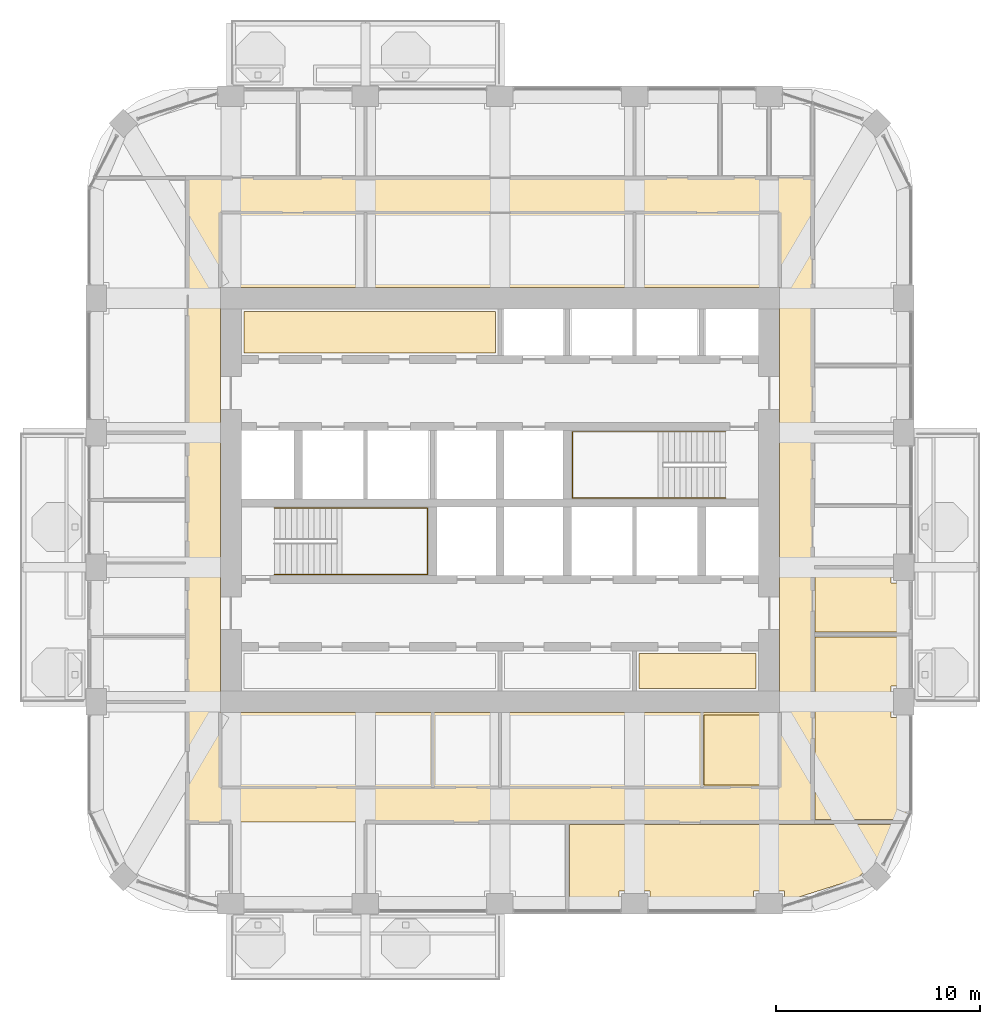
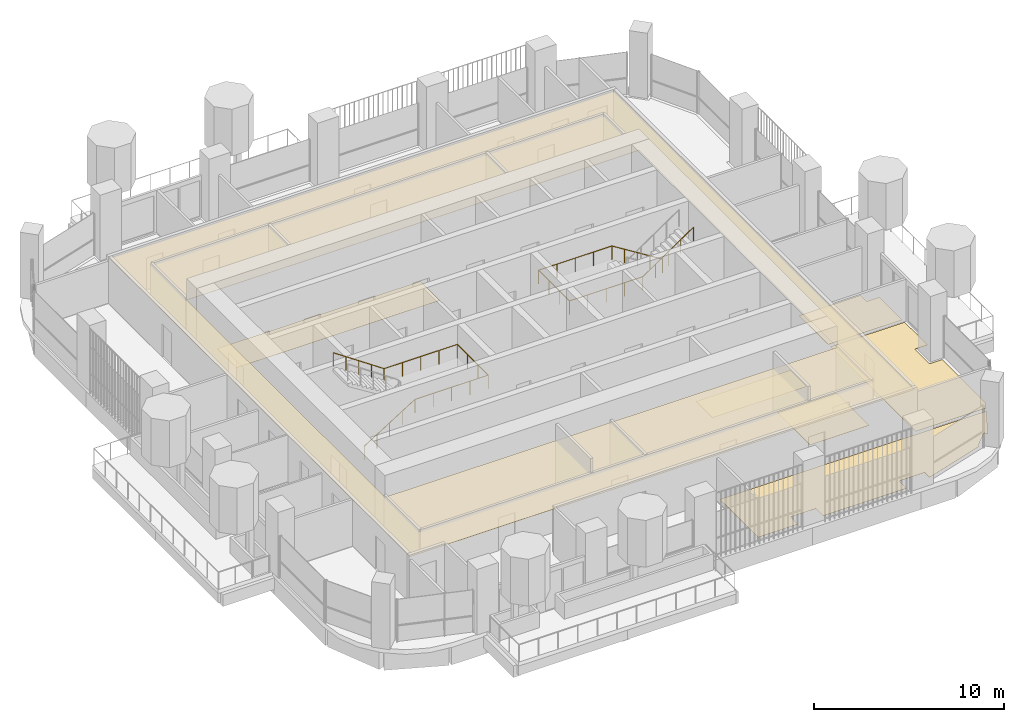
# One storey, part 17 of 20: 7 coverings, 2 railings.
"""IFC4 building model written with IfcOpenShell, lengths in metres."""

from ifc_helpers import new_model, si_unit, direction, frame, origin, place, context, subcontext, project, spatial, polyline, outline, extrude, material, layer, layer_set, type_object, element, save


model = new_model("IFC4")

# Units and contexts
model_context = context("Model", 3, precision=1e-05, world=origin(), true_north=direction((0.0, 1.0)))
body_context = subcontext(model_context, "Body", "Model", "MODEL_VIEW")
ifc_project = project(units=[si_unit("LENGTHUNIT", "METRE"), si_unit("AREAUNIT", "SQUARE_METRE"), si_unit("VOLUMEUNIT", "CUBIC_METRE"), si_unit("PLANEANGLEUNIT", "RADIAN"), si_unit("MASSUNIT", "GRAM", prefix="KILO")], contexts=[model_context])

# Site, building, storey
site_placement = place(None, origin())
site = spatial("IfcSite", under=ifc_project, at=site_placement, CompositionType="ELEMENT")
building_placement = place(site_placement, origin())
building = spatial("IfcBuilding", under=site, at=building_placement, Name="Cobogo Forest Laboratory Tower", CompositionType="ELEMENT")
storey_placement = place(building_placement, frame((0.0, 0.0, 254.39990234375)))
storey = spatial("IfcBuildingStorey", under=building, at=storey_placement, Name="L58", CompositionType="ELEMENT", Elevation=254.39990234375)

# Coverings
ifc_material_1 = material(Name="Mineral fibre ceiling tile", Category="ceiling")
ifc_layer_1 = layer(ifc_material_1, 0.02001953125)
ifc_layer_set_1 = layer_set([ifc_layer_1], Name="CL1 suspended ceiling")
covering_type_1 = type_object("IfcCoveringType", Name="CL1 suspended ceiling", PredefinedType="CEILING", material=ifc_layer_set_1)
covering_1_placement = place(storey_placement, frame((0.0, 0.0, 2.800048828125)))
element("IfcCovering", 1, at=covering_1_placement, inside=storey, type_object=covering_type_1, Name="Corridor ceiling L58", PredefinedType="CEILING", context=body_context, shape_type="SweptSolid", body=[
    extrude(outline(polyline([(11.074951171875, 7.300048828125), (11.074951171875, 38.89990234375), (41.72509765625, 38.89990234375), (41.72509765625, 7.300048828125), (11.074951171875, 7.300048828125)]), holes=[polyline([(40.125, 33.52490234375), (12.675048828125, 33.52490234375), (12.675048828125, 12.675048828125), (40.125, 12.675048828125), (40.125, 33.52490234375)])]), origin(), (0.0, 0.0, 1.0), 0.02001953125),
])
ifc_material_2 = material(Name="Carpet tile on raised access floor", Category="flooring")
ifc_layer_2 = layer(ifc_material_2, 0.008056640625)
ifc_layer_set_2 = layer_set([ifc_layer_2], Name="CT1 carpet tile floor 8")
covering_type_2 = type_object("IfcCoveringType", Name="CT1 carpet tile floor 8", PredefinedType="FLOORING", material=ifc_layer_set_2)
covering_2_placement = place(storey_placement, origin())
element("IfcCovering", 2, at=covering_2_placement, inside=storey, type_object=covering_type_2, Name="Carpet floor L58-07", PredefinedType="FLOORING", context=body_context, shape_type="SweptSolid", body=[
    extrude(outline(polyline([(40.0048828125, 9.1201171875), (36.419921875, 9.1201171875), (36.419921875, 12.554931640625), (40.0048828125, 12.554931640625), (40.0048828125, 9.1201171875)])), origin(), (0.0, 0.0, 1.0), 0.008056640625),
])
covering_3_placement = place(storey_placement, origin())
element("IfcCovering", 3, at=covering_3_placement, inside=storey, type_object=covering_type_2, Name="Carpet floor L58-10", PredefinedType="FLOORING", context=body_context, shape_type="SweptSolid", body=[
    extrude(outline(polyline([(44.05615234375, 4.56689453125), (40.3701171875, 3.40283203125), (40.3701171875, 3.919921875), (38.830078125, 3.919921875), (38.830078125, 3.14990234375), (33.77001953125, 3.14990234375), (33.77001953125, 3.919921875), (32.22998046875, 3.919921875), (32.22998046875, 3.14990234375), (29.820068359375, 3.14990234375), (29.820068359375, 7.179931640625), (45.999267578125, 7.179931640625), (45.035400390625, 5.34130859375), (44.882080078125, 5.494873046875), (44.005126953125, 4.617919921875), (44.05615234375, 4.56689453125)])), origin(), (0.0, 0.0, 1.0), 0.008056640625),
])
covering_4_placement = place(storey_placement, origin())
element("IfcCovering", 4, at=covering_4_placement, inside=storey, type_object=covering_type_2, Name="Carpet floor L58-11", PredefinedType="FLOORING", context=body_context, shape_type="SweptSolid", body=[
    extrude(outline(polyline([(41.844970703125, 16.3798828125), (46.35009765625, 16.3798828125), (46.35009765625, 13.969970703125), (45.580078125, 13.969970703125), (45.580078125, 12.429931640625), (46.35009765625, 12.429931640625), (46.35009765625, 7.84912109375), (46.125, 7.419921875), (41.844970703125, 7.419921875), (41.844970703125, 16.3798828125)])), origin(), (0.0, 0.0, 1.0), 0.008056640625),
])
covering_5_placement = place(storey_placement, origin())
element("IfcCovering", 5, at=covering_5_placement, inside=storey, type_object=covering_type_2, Name="Carpet floor L58-12", PredefinedType="FLOORING", context=body_context, shape_type="SweptSolid", body=[
    extrude(outline(polyline([(41.844970703125, 19.679931640625), (45.580078125, 19.679931640625), (45.580078125, 19.030029296875), (46.35009765625, 19.030029296875), (46.35009765625, 16.6201171875), (41.844970703125, 16.6201171875), (41.844970703125, 19.679931640625)])), origin(), (0.0, 0.0, 1.0), 0.008056640625),
])
covering_6_placement = place(storey_placement, origin())
element("IfcCovering", 6, at=covering_6_placement, inside=storey, type_object=covering_type_2, Name="Carpet floor L58-38", PredefinedType="FLOORING", context=body_context, shape_type="SweptSolid", body=[
    extrude(outline(polyline([(38.955078125, 13.844970703125), (33.219970703125, 13.844970703125), (33.219970703125, 15.580078125), (38.955078125, 15.580078125), (38.955078125, 13.844970703125)])), origin(), (0.0, 0.0, 1.0), 0.008056640625),
])
covering_7_placement = place(storey_placement, origin())
element("IfcCovering", 7, at=covering_7_placement, inside=storey, type_object=covering_type_2, Name="Carpet floor L58-39", PredefinedType="FLOORING", context=body_context, shape_type="SweptSolid", body=[
    extrude(outline(polyline([(26.179931640625, 30.320068359375), (13.844970703125, 30.320068359375), (13.844970703125, 32.35498046875), (26.179931640625, 32.35498046875), (26.179931640625, 30.320068359375)])), origin(), (0.0, 0.0, 1.0), 0.008056640625),
])

# Railings
ifc_material_3 = material(Name="Stainless steel handrail", Category="steel")
railing_type = type_object("IfcRailingType", Name="HR handrail 900", PredefinedType="HANDRAIL", material=ifc_material_3)
railing_1_placement = place(storey_placement, frame((15.324951171875, 19.449951171875, 0.175048828125)))
element("IfcRailing", 8, at=railing_1_placement, inside=storey, type_object=railing_type, Name="Stair handrail ST1 L58", PredefinedType="HANDRAIL", context=body_context, shape_type="SweptSolid", body=[
    extrude(outline(polyline([(0.022216796875, 0.00927734375), (0.00927734375, 0.022216796875), (-0.00927734375, 0.022216796875), (-0.022216796875, 0.00927734375), (-0.022216796875, -0.00927734375), (-0.00927734375, -0.022216796875), (0.00927734375, -0.022216796875), (0.022216796875, -0.00927734375), (0.022216796875, 0.00927734375)])), frame((0.0, 0.0, 0.877685546875), z_axis=(0.847998304005, 0.0, 0.529998940003), x_axis=(0.0, 1.0, 0.0)), (0.0, 0.0, 1.0), 3.632080078125),
    extrude(outline(polyline([(0.022216796875, 0.00927734375), (0.00927734375, 0.022216796875), (-0.00927734375, 0.022216796875), (-0.022216796875, 0.00927734375), (-0.022216796875, -0.00927734375), (-0.00927734375, -0.022216796875), (0.00927734375, -0.022216796875), (0.022216796875, -0.00927734375), (0.022216796875, 0.00927734375)])), frame((3.080078125, 0.0, 2.802734375), z_axis=(1.0, 0.0, 0.0), x_axis=(0.0, 1.0, 0.0)), (0.0, 0.0, 1.0), 4.445068359375),
    extrude(outline(polyline([(0.022216796875, 0.00927734375), (0.00927734375, 0.022216796875), (-0.00927734375, 0.022216796875), (-0.022216796875, 0.00927734375), (-0.022216796875, -0.00927734375), (-0.00927734375, -0.022216796875), (0.00927734375, -0.022216796875), (0.022216796875, -0.00927734375), (0.022216796875, 0.00927734375)])), frame((7.525146484375, 0.0, 2.802734375), z_axis=(0.0, 1.0, 0.0), x_axis=(-1.0, 0.0, 0.0)), (0.0, 0.0, 1.0), 3.25),
    extrude(outline(polyline([(0.022216796875, 0.00927734375), (0.00927734375, 0.022216796875), (-0.00927734375, 0.022216796875), (-0.022216796875, 0.00927734375), (-0.022216796875, -0.00927734375), (-0.00927734375, -0.022216796875), (0.00927734375, -0.022216796875), (0.022216796875, -0.00927734375), (0.022216796875, 0.00927734375)])), frame((7.525146484375, 3.25, 2.802734375), z_axis=(-1.0, 0.0, 0.0), x_axis=(0.0, -1.0, 0.0)), (0.0, 0.0, 1.0), 4.445068359375),
    extrude(outline(polyline([(0.022216796875, 0.00927734375), (0.00927734375, 0.022216796875), (-0.00927734375, 0.022216796875), (-0.022216796875, 0.00927734375), (-0.022216796875, -0.00927734375), (-0.00927734375, -0.022216796875), (0.00927734375, -0.022216796875), (0.022216796875, -0.00927734375), (0.022216796875, 0.00927734375)])), frame((3.080078125, 3.25, 2.802734375), z_axis=(-0.826221800596, 0.0, 0.563344953133), x_axis=(0.0, -1.0, 0.0)), (0.0, 0.0, 1.0), 3.72802734375),
    extrude(outline(polyline([(0.019287109375, 0.008056640625), (0.008056640625, 0.019287109375), (-0.008056640625, 0.019287109375), (-0.019287109375, 0.008056640625), (-0.019287109375, -0.008056640625), (-0.008056640625, -0.019287109375), (0.008056640625, -0.019287109375), (0.019287109375, -0.008056640625), (0.019287109375, 0.008056640625)])), origin(), (0.0, 0.0, 1.0), 0.877685546875),
    extrude(outline(polyline([(0.019287109375, 0.008056640625), (0.008056640625, 0.019287109375), (-0.008056640625, 0.019287109375), (-0.019287109375, 0.008056640625), (-0.019287109375, -0.008056640625), (-0.008056640625, -0.019287109375), (0.008056640625, -0.019287109375), (0.019287109375, -0.008056640625), (0.019287109375, 0.008056640625)])), frame((0.77001953125, 0.0, 0.481201171875)), (0.0, 0.0, 1.0), 0.877685546875),
    extrude(outline(polyline([(0.019287109375, 0.008056640625), (0.008056640625, 0.019287109375), (-0.008056640625, 0.019287109375), (-0.019287109375, 0.008056640625), (-0.019287109375, -0.008056640625), (-0.008056640625, -0.019287109375), (0.008056640625, -0.019287109375), (0.019287109375, -0.008056640625), (0.019287109375, 0.008056640625)])), frame((1.5400390625, 0.0, 0.96240234375)), (0.0, 0.0, 1.0), 0.877685546875),
    extrude(outline(polyline([(0.019287109375, 0.008056640625), (0.008056640625, 0.019287109375), (-0.008056640625, 0.019287109375), (-0.019287109375, 0.008056640625), (-0.019287109375, -0.008056640625), (-0.008056640625, -0.019287109375), (0.008056640625, -0.019287109375), (0.019287109375, -0.008056640625), (0.019287109375, 0.008056640625)])), frame((2.31005859375, 0.0, 1.44384765625)), (0.0, 0.0, 1.0), 0.877685546875),
    extrude(outline(polyline([(0.019287109375, 0.008056640625), (0.008056640625, 0.019287109375), (-0.008056640625, 0.019287109375), (-0.019287109375, 0.008056640625), (-0.019287109375, -0.008056640625), (-0.008056640625, -0.019287109375), (0.008056640625, -0.019287109375), (0.019287109375, -0.008056640625), (0.019287109375, 0.008056640625)])), frame((3.080078125, 0.0, 1.925048828125)), (0.0, 0.0, 1.0), 0.877685546875),
    extrude(outline(polyline([(0.019287109375, 0.008056640625), (0.008056640625, 0.019287109375), (-0.008056640625, 0.019287109375), (-0.019287109375, 0.008056640625), (-0.019287109375, -0.008056640625), (-0.008056640625, -0.019287109375), (0.008056640625, -0.019287109375), (0.019287109375, -0.008056640625), (0.019287109375, 0.008056640625)])), frame((4.19140625, 0.0, 1.925048828125)), (0.0, 0.0, 1.0), 0.877685546875),
    extrude(outline(polyline([(0.019287109375, 0.008056640625), (0.008056640625, 0.019287109375), (-0.008056640625, 0.019287109375), (-0.019287109375, 0.008056640625), (-0.019287109375, -0.008056640625), (-0.008056640625, -0.019287109375), (0.008056640625, -0.019287109375), (0.019287109375, -0.008056640625), (0.019287109375, 0.008056640625)])), frame((5.302734375, 0.0, 1.925048828125)), (0.0, 0.0, 1.0), 0.877685546875),
    extrude(outline(polyline([(0.019287109375, 0.008056640625), (0.008056640625, 0.019287109375), (-0.008056640625, 0.019287109375), (-0.019287109375, 0.008056640625), (-0.019287109375, -0.008056640625), (-0.008056640625, -0.019287109375), (0.008056640625, -0.019287109375), (0.019287109375, -0.008056640625), (0.019287109375, 0.008056640625)])), frame((6.413818359375, 0.0, 1.925048828125)), (0.0, 0.0, 1.0), 0.877685546875),
    extrude(outline(polyline([(0.019287109375, 0.008056640625), (0.008056640625, 0.019287109375), (-0.008056640625, 0.019287109375), (-0.019287109375, 0.008056640625), (-0.019287109375, -0.008056640625), (-0.008056640625, -0.019287109375), (0.008056640625, -0.019287109375), (0.019287109375, -0.008056640625), (0.019287109375, 0.008056640625)])), frame((7.525146484375, 0.0, 1.925048828125)), (0.0, 0.0, 1.0), 0.877685546875),
    extrude(outline(polyline([(0.019287109375, 0.008056640625), (0.008056640625, 0.019287109375), (-0.008056640625, 0.019287109375), (-0.019287109375, 0.008056640625), (-0.019287109375, -0.008056640625), (-0.008056640625, -0.019287109375), (0.008056640625, -0.019287109375), (0.019287109375, -0.008056640625), (0.019287109375, 0.008056640625)])), frame((7.525146484375, 1.083251953125, 1.925048828125)), (0.0, 0.0, 1.0), 0.877685546875),
    extrude(outline(polyline([(0.019287109375, 0.008056640625), (0.008056640625, 0.019287109375), (-0.008056640625, 0.019287109375), (-0.019287109375, 0.008056640625), (-0.019287109375, -0.008056640625), (-0.008056640625, -0.019287109375), (0.008056640625, -0.019287109375), (0.019287109375, -0.008056640625), (0.019287109375, 0.008056640625)])), frame((7.525146484375, 2.166748046875, 1.925048828125)), (0.0, 0.0, 1.0), 0.877685546875),
    extrude(outline(polyline([(0.019287109375, 0.008056640625), (0.008056640625, 0.019287109375), (-0.008056640625, 0.019287109375), (-0.019287109375, 0.008056640625), (-0.019287109375, -0.008056640625), (-0.008056640625, -0.019287109375), (0.008056640625, -0.019287109375), (0.019287109375, -0.008056640625), (0.019287109375, 0.008056640625)])), frame((7.525146484375, 3.25, 1.925048828125)), (0.0, 0.0, 1.0), 0.877685546875),
    extrude(outline(polyline([(0.019287109375, 0.008056640625), (0.008056640625, 0.019287109375), (-0.008056640625, 0.019287109375), (-0.019287109375, 0.008056640625), (-0.019287109375, -0.008056640625), (-0.008056640625, -0.019287109375), (0.008056640625, -0.019287109375), (0.019287109375, -0.008056640625), (0.019287109375, 0.008056640625)])), frame((6.413818359375, 3.25, 1.925048828125)), (0.0, 0.0, 1.0), 0.877685546875),
    extrude(outline(polyline([(0.019287109375, 0.008056640625), (0.008056640625, 0.019287109375), (-0.008056640625, 0.019287109375), (-0.019287109375, 0.008056640625), (-0.019287109375, -0.008056640625), (-0.008056640625, -0.019287109375), (0.008056640625, -0.019287109375), (0.019287109375, -0.008056640625), (0.019287109375, 0.008056640625)])), frame((5.302734375, 3.25, 1.925048828125)), (0.0, 0.0, 1.0), 0.877685546875),
    extrude(outline(polyline([(0.019287109375, 0.008056640625), (0.008056640625, 0.019287109375), (-0.008056640625, 0.019287109375), (-0.019287109375, 0.008056640625), (-0.019287109375, -0.008056640625), (-0.008056640625, -0.019287109375), (0.008056640625, -0.019287109375), (0.019287109375, -0.008056640625), (0.019287109375, 0.008056640625)])), frame((4.19140625, 3.25, 1.925048828125)), (0.0, 0.0, 1.0), 0.877685546875),
    extrude(outline(polyline([(0.019287109375, 0.008056640625), (0.008056640625, 0.019287109375), (-0.008056640625, 0.019287109375), (-0.019287109375, 0.008056640625), (-0.019287109375, -0.008056640625), (-0.008056640625, -0.019287109375), (0.008056640625, -0.019287109375), (0.019287109375, -0.008056640625), (0.019287109375, 0.008056640625)])), frame((3.080078125, 3.25, 1.925048828125)), (0.0, 0.0, 1.0), 0.877685546875),
    extrude(outline(polyline([(0.019287109375, 0.008056640625), (0.008056640625, 0.019287109375), (-0.008056640625, 0.019287109375), (-0.019287109375, 0.008056640625), (-0.019287109375, -0.008056640625), (-0.008056640625, -0.019287109375), (0.008056640625, -0.019287109375), (0.019287109375, -0.008056640625), (0.019287109375, 0.008056640625)])), frame((2.31005859375, 3.25, 2.4501953125)), (0.0, 0.0, 1.0), 0.877685546875),
    extrude(outline(polyline([(0.019287109375, 0.008056640625), (0.008056640625, 0.019287109375), (-0.008056640625, 0.019287109375), (-0.019287109375, 0.008056640625), (-0.019287109375, -0.008056640625), (-0.008056640625, -0.019287109375), (0.008056640625, -0.019287109375), (0.019287109375, -0.008056640625), (0.019287109375, 0.008056640625)])), frame((1.5400390625, 3.25, 2.97509765625)), (0.0, 0.0, 1.0), 0.877685546875),
    extrude(outline(polyline([(0.019287109375, 0.008056640625), (0.008056640625, 0.019287109375), (-0.008056640625, 0.019287109375), (-0.019287109375, 0.008056640625), (-0.019287109375, -0.008056640625), (-0.008056640625, -0.019287109375), (0.008056640625, -0.019287109375), (0.019287109375, -0.008056640625), (0.019287109375, 0.008056640625)])), frame((0.77001953125, 3.25, 3.5)), (0.0, 0.0, 1.0), 0.877685546875),
    extrude(outline(polyline([(0.019287109375, 0.008056640625), (0.008056640625, 0.019287109375), (-0.008056640625, 0.019287109375), (-0.019287109375, 0.008056640625), (-0.019287109375, -0.008056640625), (-0.008056640625, -0.019287109375), (0.008056640625, -0.019287109375), (0.019287109375, -0.008056640625), (0.019287109375, 0.008056640625)])), frame((0.0, 3.25, 4.025146484375)), (0.0, 0.0, 1.0), 0.877685546875),
])
railing_2_placement = place(storey_placement, frame((37.47509765625, 26.449951171875, 0.175048828125)))
element("IfcRailing", 9, at=railing_2_placement, inside=storey, type_object=railing_type, Name="Stair handrail ST2 L58", PredefinedType="HANDRAIL", context=body_context, shape_type="SweptSolid", body=[
    extrude(outline(polyline([(0.022216796875, 0.00927734375), (0.00927734375, 0.022216796875), (-0.00927734375, 0.022216796875), (-0.022216796875, 0.00927734375), (-0.022216796875, -0.00927734375), (-0.00927734375, -0.022216796875), (0.00927734375, -0.022216796875), (0.022216796875, -0.00927734375), (0.022216796875, 0.00927734375)])), frame((0.0, 0.0, 0.877685546875), z_axis=(-0.847998304005, 0.0, 0.529998940003), x_axis=(0.0, -1.0, 0.0)), (0.0, 0.0, 1.0), 3.632080078125),
    extrude(outline(polyline([(0.022216796875, 0.00927734375), (0.00927734375, 0.022216796875), (-0.00927734375, 0.022216796875), (-0.022216796875, 0.00927734375), (-0.022216796875, -0.00927734375), (-0.00927734375, -0.022216796875), (0.00927734375, -0.022216796875), (0.022216796875, -0.00927734375), (0.022216796875, 0.00927734375)])), frame((-3.080078125, 0.0, 2.802734375), z_axis=(-1.0, 0.0, 0.0), x_axis=(0.0, -1.0, 0.0)), (0.0, 0.0, 1.0), 4.445068359375),
    extrude(outline(polyline([(0.022216796875, 0.00927734375), (0.00927734375, 0.022216796875), (-0.00927734375, 0.022216796875), (-0.022216796875, 0.00927734375), (-0.022216796875, -0.00927734375), (-0.00927734375, -0.022216796875), (0.00927734375, -0.022216796875), (0.022216796875, -0.00927734375), (0.022216796875, 0.00927734375)])), frame((-7.525146484375, 0.0, 2.802734375), z_axis=(0.0, -1.0, 0.0), x_axis=(1.0, 0.0, 0.0)), (0.0, 0.0, 1.0), 3.25),
    extrude(outline(polyline([(0.022216796875, 0.00927734375), (0.00927734375, 0.022216796875), (-0.00927734375, 0.022216796875), (-0.022216796875, 0.00927734375), (-0.022216796875, -0.00927734375), (-0.00927734375, -0.022216796875), (0.00927734375, -0.022216796875), (0.022216796875, -0.00927734375), (0.022216796875, 0.00927734375)])), frame((-7.525146484375, -3.25, 2.802734375), z_axis=(1.0, 0.0, 0.0), x_axis=(0.0, 1.0, 0.0)), (0.0, 0.0, 1.0), 4.445068359375),
    extrude(outline(polyline([(0.022216796875, 0.00927734375), (0.00927734375, 0.022216796875), (-0.00927734375, 0.022216796875), (-0.022216796875, 0.00927734375), (-0.022216796875, -0.00927734375), (-0.00927734375, -0.022216796875), (0.00927734375, -0.022216796875), (0.022216796875, -0.00927734375), (0.022216796875, 0.00927734375)])), frame((-3.080078125, -3.25, 2.802734375), z_axis=(0.826221800596, 0.0, 0.563344953133), x_axis=(0.0, 1.0, 0.0)), (0.0, 0.0, 1.0), 3.72802734375),
    extrude(outline(polyline([(0.019287109375, 0.008056640625), (0.008056640625, 0.019287109375), (-0.008056640625, 0.019287109375), (-0.019287109375, 0.008056640625), (-0.019287109375, -0.008056640625), (-0.008056640625, -0.019287109375), (0.008056640625, -0.019287109375), (0.019287109375, -0.008056640625), (0.019287109375, 0.008056640625)])), origin(), (0.0, 0.0, 1.0), 0.877685546875),
    extrude(outline(polyline([(0.019287109375, 0.008056640625), (0.008056640625, 0.019287109375), (-0.008056640625, 0.019287109375), (-0.019287109375, 0.008056640625), (-0.019287109375, -0.008056640625), (-0.008056640625, -0.019287109375), (0.008056640625, -0.019287109375), (0.019287109375, -0.008056640625), (0.019287109375, 0.008056640625)])), frame((-0.77001953125, 0.0, 0.481201171875)), (0.0, 0.0, 1.0), 0.877685546875),
    extrude(outline(polyline([(0.019287109375, 0.008056640625), (0.008056640625, 0.019287109375), (-0.008056640625, 0.019287109375), (-0.019287109375, 0.008056640625), (-0.019287109375, -0.008056640625), (-0.008056640625, -0.019287109375), (0.008056640625, -0.019287109375), (0.019287109375, -0.008056640625), (0.019287109375, 0.008056640625)])), frame((-1.5400390625, 0.0, 0.96240234375)), (0.0, 0.0, 1.0), 0.877685546875),
    extrude(outline(polyline([(0.019287109375, 0.008056640625), (0.008056640625, 0.019287109375), (-0.008056640625, 0.019287109375), (-0.019287109375, 0.008056640625), (-0.019287109375, -0.008056640625), (-0.008056640625, -0.019287109375), (0.008056640625, -0.019287109375), (0.019287109375, -0.008056640625), (0.019287109375, 0.008056640625)])), frame((-2.31005859375, 0.0, 1.44384765625)), (0.0, 0.0, 1.0), 0.877685546875),
    extrude(outline(polyline([(0.019287109375, 0.008056640625), (0.008056640625, 0.019287109375), (-0.008056640625, 0.019287109375), (-0.019287109375, 0.008056640625), (-0.019287109375, -0.008056640625), (-0.008056640625, -0.019287109375), (0.008056640625, -0.019287109375), (0.019287109375, -0.008056640625), (0.019287109375, 0.008056640625)])), frame((-3.080078125, 0.0, 1.925048828125)), (0.0, 0.0, 1.0), 0.877685546875),
    extrude(outline(polyline([(0.019287109375, 0.008056640625), (0.008056640625, 0.019287109375), (-0.008056640625, 0.019287109375), (-0.019287109375, 0.008056640625), (-0.019287109375, -0.008056640625), (-0.008056640625, -0.019287109375), (0.008056640625, -0.019287109375), (0.019287109375, -0.008056640625), (0.019287109375, 0.008056640625)])), frame((-4.19140625, 0.0, 1.925048828125)), (0.0, 0.0, 1.0), 0.877685546875),
    extrude(outline(polyline([(0.019287109375, 0.008056640625), (0.008056640625, 0.019287109375), (-0.008056640625, 0.019287109375), (-0.019287109375, 0.008056640625), (-0.019287109375, -0.008056640625), (-0.008056640625, -0.019287109375), (0.008056640625, -0.019287109375), (0.019287109375, -0.008056640625), (0.019287109375, 0.008056640625)])), frame((-5.302734375, 0.0, 1.925048828125)), (0.0, 0.0, 1.0), 0.877685546875),
    extrude(outline(polyline([(0.019287109375, 0.008056640625), (0.008056640625, 0.019287109375), (-0.008056640625, 0.019287109375), (-0.019287109375, 0.008056640625), (-0.019287109375, -0.008056640625), (-0.008056640625, -0.019287109375), (0.008056640625, -0.019287109375), (0.019287109375, -0.008056640625), (0.019287109375, 0.008056640625)])), frame((-6.413818359375, 0.0, 1.925048828125)), (0.0, 0.0, 1.0), 0.877685546875),
    extrude(outline(polyline([(0.019287109375, 0.008056640625), (0.008056640625, 0.019287109375), (-0.008056640625, 0.019287109375), (-0.019287109375, 0.008056640625), (-0.019287109375, -0.008056640625), (-0.008056640625, -0.019287109375), (0.008056640625, -0.019287109375), (0.019287109375, -0.008056640625), (0.019287109375, 0.008056640625)])), frame((-7.525146484375, 0.0, 1.925048828125)), (0.0, 0.0, 1.0), 0.877685546875),
    extrude(outline(polyline([(0.019287109375, 0.008056640625), (0.008056640625, 0.019287109375), (-0.008056640625, 0.019287109375), (-0.019287109375, 0.008056640625), (-0.019287109375, -0.008056640625), (-0.008056640625, -0.019287109375), (0.008056640625, -0.019287109375), (0.019287109375, -0.008056640625), (0.019287109375, 0.008056640625)])), frame((-7.525146484375, -1.083251953125, 1.925048828125)), (0.0, 0.0, 1.0), 0.877685546875),
    extrude(outline(polyline([(0.019287109375, 0.008056640625), (0.008056640625, 0.019287109375), (-0.008056640625, 0.019287109375), (-0.019287109375, 0.008056640625), (-0.019287109375, -0.008056640625), (-0.008056640625, -0.019287109375), (0.008056640625, -0.019287109375), (0.019287109375, -0.008056640625), (0.019287109375, 0.008056640625)])), frame((-7.525146484375, -2.166748046875, 1.925048828125)), (0.0, 0.0, 1.0), 0.877685546875),
    extrude(outline(polyline([(0.019287109375, 0.008056640625), (0.008056640625, 0.019287109375), (-0.008056640625, 0.019287109375), (-0.019287109375, 0.008056640625), (-0.019287109375, -0.008056640625), (-0.008056640625, -0.019287109375), (0.008056640625, -0.019287109375), (0.019287109375, -0.008056640625), (0.019287109375, 0.008056640625)])), frame((-7.525146484375, -3.25, 1.925048828125)), (0.0, 0.0, 1.0), 0.877685546875),
    extrude(outline(polyline([(0.019287109375, 0.008056640625), (0.008056640625, 0.019287109375), (-0.008056640625, 0.019287109375), (-0.019287109375, 0.008056640625), (-0.019287109375, -0.008056640625), (-0.008056640625, -0.019287109375), (0.008056640625, -0.019287109375), (0.019287109375, -0.008056640625), (0.019287109375, 0.008056640625)])), frame((-6.413818359375, -3.25, 1.925048828125)), (0.0, 0.0, 1.0), 0.877685546875),
    extrude(outline(polyline([(0.019287109375, 0.008056640625), (0.008056640625, 0.019287109375), (-0.008056640625, 0.019287109375), (-0.019287109375, 0.008056640625), (-0.019287109375, -0.008056640625), (-0.008056640625, -0.019287109375), (0.008056640625, -0.019287109375), (0.019287109375, -0.008056640625), (0.019287109375, 0.008056640625)])), frame((-5.302734375, -3.25, 1.925048828125)), (0.0, 0.0, 1.0), 0.877685546875),
    extrude(outline(polyline([(0.019287109375, 0.008056640625), (0.008056640625, 0.019287109375), (-0.008056640625, 0.019287109375), (-0.019287109375, 0.008056640625), (-0.019287109375, -0.008056640625), (-0.008056640625, -0.019287109375), (0.008056640625, -0.019287109375), (0.019287109375, -0.008056640625), (0.019287109375, 0.008056640625)])), frame((-4.19140625, -3.25, 1.925048828125)), (0.0, 0.0, 1.0), 0.877685546875),
    extrude(outline(polyline([(0.019287109375, 0.008056640625), (0.008056640625, 0.019287109375), (-0.008056640625, 0.019287109375), (-0.019287109375, 0.008056640625), (-0.019287109375, -0.008056640625), (-0.008056640625, -0.019287109375), (0.008056640625, -0.019287109375), (0.019287109375, -0.008056640625), (0.019287109375, 0.008056640625)])), frame((-3.080078125, -3.25, 1.925048828125)), (0.0, 0.0, 1.0), 0.877685546875),
    extrude(outline(polyline([(0.019287109375, 0.008056640625), (0.008056640625, 0.019287109375), (-0.008056640625, 0.019287109375), (-0.019287109375, 0.008056640625), (-0.019287109375, -0.008056640625), (-0.008056640625, -0.019287109375), (0.008056640625, -0.019287109375), (0.019287109375, -0.008056640625), (0.019287109375, 0.008056640625)])), frame((-2.31005859375, -3.25, 2.4501953125)), (0.0, 0.0, 1.0), 0.877685546875),
    extrude(outline(polyline([(0.019287109375, 0.008056640625), (0.008056640625, 0.019287109375), (-0.008056640625, 0.019287109375), (-0.019287109375, 0.008056640625), (-0.019287109375, -0.008056640625), (-0.008056640625, -0.019287109375), (0.008056640625, -0.019287109375), (0.019287109375, -0.008056640625), (0.019287109375, 0.008056640625)])), frame((-1.5400390625, -3.25, 2.97509765625)), (0.0, 0.0, 1.0), 0.877685546875),
    extrude(outline(polyline([(0.019287109375, 0.008056640625), (0.008056640625, 0.019287109375), (-0.008056640625, 0.019287109375), (-0.019287109375, 0.008056640625), (-0.019287109375, -0.008056640625), (-0.008056640625, -0.019287109375), (0.008056640625, -0.019287109375), (0.019287109375, -0.008056640625), (0.019287109375, 0.008056640625)])), frame((-0.77001953125, -3.25, 3.5)), (0.0, 0.0, 1.0), 0.877685546875),
    extrude(outline(polyline([(0.019287109375, 0.008056640625), (0.008056640625, 0.019287109375), (-0.008056640625, 0.019287109375), (-0.019287109375, 0.008056640625), (-0.019287109375, -0.008056640625), (-0.008056640625, -0.019287109375), (0.008056640625, -0.019287109375), (0.019287109375, -0.008056640625), (0.019287109375, 0.008056640625)])), frame((0.0, -3.25, 4.025146484375)), (0.0, 0.0, 1.0), 0.877685546875),
])

save(model, "model.ifc")
